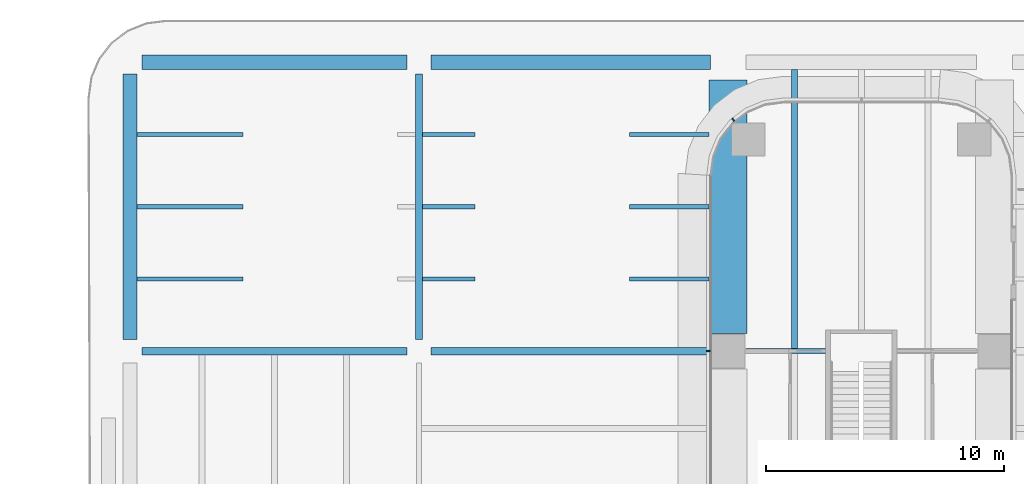
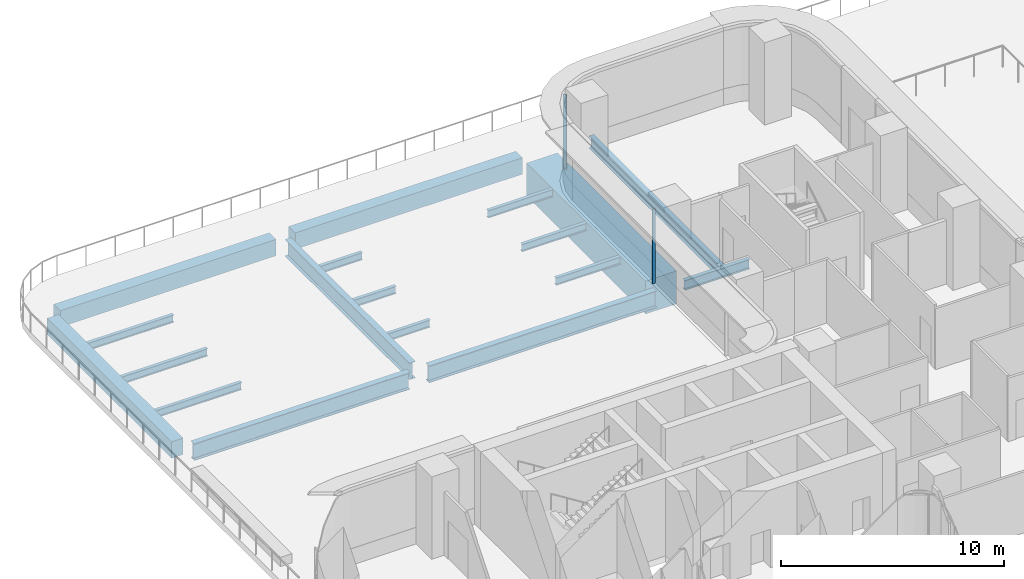
# One storey, part 12 of 29: 18 beams, 2 members, 2 elements without a shape of their own.
"""IFC4 building model written with IfcOpenShell, lengths in metres."""

import ifcopenshell
import ifcopenshell.guid

model = None  # the IFC model being written
_history = None  # IfcOwnerHistory: only IFC2X3 demands one
_inside = {}  # id of a spatial element -> (the spatial element, [elements in it])
_under = {}  # id of a project, library or spatial element -> (it, [spatial elements below it])
_declared = {}  # id of a project -> (the project, [libraries it declares])
_typed = {}  # id of a type object -> (the type object, [elements of that type])
_made_of = {}  # id of a material, layer set ... -> (it, [elements and type objects made of it])


def new_model(schema):
    """Start an empty IFC model of exactly this schema.

    Asked for "IFC4X3", IfcOpenShell would pick the latest addendum, in which some entities
    have other attributes; the version numbers below select the first issue.
    IFC2X3 requires an IfcOwnerHistory on every rooted entity: one is made here for all.
    """
    global model, _history
    if schema == "IFC4X3":
        model = ifcopenshell.file(schema_version=(4, 3, 0, 0))
    else:
        model = ifcopenshell.file(schema=schema)
    _inside.clear()
    _under.clear()
    _declared.clear()
    _typed.clear()
    _made_of.clear()
    _history = None
    if model.schema == "IFC2X3":
        org = make("IfcOrganization", Name="unknown")
        user = make(
            "IfcPersonAndOrganization",
            ThePerson=make("IfcPerson", FamilyName="unknown"),
            TheOrganization=org,
        )
        app = make(
            "IfcApplication",
            ApplicationDeveloper=org,
            Version="unknown",
            ApplicationFullName="unknown",
            ApplicationIdentifier="unknown",
        )
        _history = make(
            "IfcOwnerHistory",
            OwningUser=user,
            OwningApplication=app,
            ChangeAction="ADDED",
            CreationDate=0,
        )
    return model


def make(cls, **values):
    """One entity of the class cls with the attributes given. An attribute that is None is left unset."""
    return model.create_entity(
        cls, **{name: value for name, value in values.items() if value is not None}
    )


def rooted(cls, **values):
    """An entity with a GlobalId (a new one), such as an element, a storey or a relation."""
    return make(cls, GlobalId=ifcopenshell.guid.new(), OwnerHistory=_history, **values)


def si_unit(unit_type, name, prefix=None):
    """IfcSIUnit, for example si_unit("LENGTHUNIT", "METRE", prefix="MILLI")."""
    return make("IfcSIUnit", UnitType=unit_type, Prefix=prefix, Name=name)


def assignment(units):
    """IfcUnitAssignment: the units of a project."""
    return None if units is None else make("IfcUnitAssignment", Units=units)


def point(xyz):
    """IfcCartesianPoint."""
    return None if xyz is None else make("IfcCartesianPoint", Coordinates=xyz)


def direction(xyz):
    """IfcDirection."""
    return None if xyz is None else make("IfcDirection", DirectionRatios=xyz)


def frame(location, z_axis=None, x_axis=None):
    """IfcAxis2Placement3D, a coordinate frame: its origin and axes. An axis left out is left unset."""
    return make(
        "IfcAxis2Placement3D",
        Location=point(location),
        Axis=direction(z_axis),
        RefDirection=direction(x_axis),
    )


def frame_2d(location, x_axis=None):
    """IfcAxis2Placement2D, a coordinate frame in the plane: its origin and x axis."""
    return make(
        "IfcAxis2Placement2D", Location=point(location), RefDirection=direction(x_axis)
    )


def origin():
    """The frame at (0, 0, 0) with its axes left unset."""
    return frame((0.0, 0.0, 0.0))


def origin_2d():
    """The frame at (0, 0) in the plane with its x axis left unset."""
    return frame_2d((0.0, 0.0))


def place(relative_to, where):
    """IfcLocalPlacement: puts the frame where relative to a parent placement (None: the world)."""
    return make(
        "IfcLocalPlacement", PlacementRelTo=relative_to, RelativePlacement=where
    )


def context(
    kind, dimensions, precision=None, world=None, true_north=None, identifier=None
):
    """IfcGeometricRepresentationContext, for example the 3D "Model" context."""
    return make(
        "IfcGeometricRepresentationContext",
        ContextIdentifier=identifier,
        ContextType=kind,
        CoordinateSpaceDimension=dimensions,
        Precision=precision,
        WorldCoordinateSystem=world,
        TrueNorth=true_north,
    )


def subcontext(parent, identifier, kind, view, scale=None):
    """IfcGeometricRepresentationSubContext, for example "Body" below "Model"."""
    return make(
        "IfcGeometricRepresentationSubContext",
        ContextIdentifier=identifier,
        ContextType=kind,
        ParentContext=parent,
        TargetScale=scale,
        TargetView=view,
    )


def project(units=None, contexts=None):
    """IfcProject with its units and contexts."""
    return rooted(
        "IfcProject",
        Name="project",
        RepresentationContexts=contexts,
        UnitsInContext=assignment(units),
    )


def spatial(cls, under=None, at=None, **own):
    """A site, building, storey or space (cls), placed at a placement, below another one or the project."""
    s = rooted(cls, ObjectPlacement=at, **own)
    if under is not None:
        _under.setdefault(under.id(), (under, []))[1].append(s)
    return s


def profile(cls, at=None, kind="AREA", **sizes):
    """A parametric profile (cls). Its sizes go by their IFC names, for example OverallWidth=200.0."""
    return make(cls, ProfileType=kind, Position=at, **sizes)


def rectangle(**sizes):
    """IfcRectangleProfileDef."""
    return profile("IfcRectangleProfileDef", **sizes)


def i_section(**sizes):
    """IfcIShapeProfileDef."""
    return profile("IfcIShapeProfileDef", **sizes)


def extrude(swept, where, along, depth):
    """IfcExtrudedAreaSolid: the profile swept, set in the frame where, extruded along a direction by depth."""
    return make(
        "IfcExtrudedAreaSolid",
        SweptArea=swept,
        Position=where,
        ExtrudedDirection=direction(along),
        Depth=depth,
    )


def shape(context_of_items, identifier, shape_type, items):
    """IfcShapeRepresentation: the items that make up one representation, for example the "Body"."""
    return make(
        "IfcShapeRepresentation",
        ContextOfItems=context_of_items,
        RepresentationIdentifier=identifier,
        RepresentationType=shape_type,
        Items=items,
    )


def source(mapping_origin, context_of_items, identifier, shape_type, items):
    """IfcRepresentationMap: a shape defined once, which mapped items show again and again."""
    return make(
        "IfcRepresentationMap",
        MappingOrigin=mapping_origin,
        MappedRepresentation=shape(context_of_items, identifier, shape_type, items),
    )


def transform(
    local_origin,
    x_axis=None,
    y_axis=None,
    z_axis=None,
    scale=None,
    scale2=None,
    scale3=None,
    uniform=True,
):
    """IfcCartesianTransformationOperator3D, or its non-uniform kind. x_axis, y_axis, z_axis: its Axis1, 2, 3."""
    if uniform:
        return make(
            "IfcCartesianTransformationOperator3D",
            Axis1=direction(x_axis),
            Axis2=direction(y_axis),
            LocalOrigin=point(local_origin),
            Scale=scale,
            Axis3=direction(z_axis),
        )
    return make(
        "IfcCartesianTransformationOperator3DnonUniform",
        Axis1=direction(x_axis),
        Axis2=direction(y_axis),
        LocalOrigin=point(local_origin),
        Scale=scale,
        Axis3=direction(z_axis),
        Scale2=scale2,
        Scale3=scale3,
    )


def mapped(mapping_source, mapping_target):
    """IfcMappedItem: shows the shape of a source again, moved by a transform."""
    return make(
        "IfcMappedItem", MappingSource=mapping_source, MappingTarget=mapping_target
    )


def material(Name=None, Category=None):
    """IfcMaterial."""
    return make("IfcMaterial", Name=Name, Category=Category)


def layer(
    of_material, thickness, ventilated=None, Name=None, Category=None, Priority=None
):
    """IfcMaterialLayer: one layer of a wall or slab, of a material (None: an air gap)."""
    return make(
        "IfcMaterialLayer",
        Material=of_material,
        LayerThickness=thickness,
        IsVentilated=ventilated,
        Name=Name,
        Category=Category,
        Priority=Priority,
    )


def layer_set(layers, Name=None):
    """IfcMaterialLayerSet."""
    return make("IfcMaterialLayerSet", MaterialLayers=layers, LayerSetName=Name)


def material_profile(
    of_material, cross_section, Name=None, Category=None, Priority=None
):
    """IfcMaterialProfile: a cross section and its material."""
    return make(
        "IfcMaterialProfile",
        Name=Name,
        Material=of_material,
        Profile=cross_section,
        Priority=Priority,
        Category=Category,
    )


def profile_set(profiles, Name=None, composite=None):
    """IfcMaterialProfileSet."""
    return make(
        "IfcMaterialProfileSet",
        Name=Name,
        MaterialProfiles=profiles,
        CompositeProfile=composite,
    )


def made_of(thing, what):
    """Note that an element or type object is made of a material, layer set ...; save() writes the relation."""
    if what is not None:
        _made_of.setdefault(what.id(), (what, []))[1].append(thing)
    return thing


def type_object(cls, material=None, **own):
    """A type object (cls), such as IfcWallType, which elements share."""
    return made_of(rooted(cls, **own), material)


def element(
    cls,
    number,
    at=None,
    inside=None,
    cuts=None,
    type_object=None,
    material=None,
    context=None,
    identifier="Body",
    shape_type=None,
    held_by="IfcProductDefinitionShape",
    body=None,
    shapes=None,
    **own,
):
    """One element of the class cls, such as IfcWall. Its Tag is "e" and its number.

    at: its placement. inside: the storey or other place that contains it. cuts: it is an
    opening in that element (IfcRelVoidsElement). A single representation is given by context,
    identifier, shape_type and body (its items); several are given by shapes. held_by: the class
    of the entity that holds the representations. save() writes the other relations.
    """
    e = rooted(cls, Tag="e%d" % number, ObjectPlacement=at, **own)
    if body is not None:
        shapes = [shape(context, identifier, shape_type, body)]
    if shapes is not None:
        e.Representation = make(held_by, Representations=shapes)
    if inside is not None:
        _inside.setdefault(inside.id(), (inside, []))[1].append(e)
    if cuts is not None:
        rooted(
            "IfcRelVoidsElement", RelatingBuildingElement=cuts, RelatedOpeningElement=e
        )
    if type_object is not None:
        _typed.setdefault(type_object.id(), (type_object, []))[1].append(e)
    return made_of(e, material)


def aggregate(whole, parts):
    """IfcRelAggregates: a whole, such as a stair, and the parts it consists of."""
    return rooted("IfcRelAggregates", RelatingObject=whole, RelatedObjects=parts)


def save(model, path):
    """Write the relations noted so far, then the file.

    IfcRelAggregates (storeys below a building ...), IfcRelContainedInSpatialStructure (elements
    in a storey), IfcRelDefinesByType, IfcRelAssociatesMaterial and IfcRelDeclares: one each for
    every whole, place, type object, material and project.
    """
    for whole, parts in _under.values():
        aggregate(whole, parts)
    for where, things in _inside.values():
        rooted(
            "IfcRelContainedInSpatialStructure",
            RelatedElements=things,
            RelatingStructure=where,
        )
    for kind, things in _typed.values():
        rooted("IfcRelDefinesByType", RelatedObjects=things, RelatingType=kind)
    for what, things in _made_of.values():
        rooted("IfcRelAssociatesMaterial", RelatedObjects=things, RelatingMaterial=what)
    for by, libraries in _declared.values():
        rooted("IfcRelDeclares", RelatingContext=by, RelatedDefinitions=libraries)
    model.write(path)


model = new_model("IFC4")

# Units and contexts
model_context = context("Model", 3, precision=1e-05, world=origin(), true_north=direction((0.0, 1.0)))
body_context = subcontext(model_context, "Body", "Model", "MODEL_VIEW")
ifc_project = project(units=[si_unit("LENGTHUNIT", "METRE"), si_unit("AREAUNIT", "SQUARE_METRE"), si_unit("VOLUMEUNIT", "CUBIC_METRE"), si_unit("PLANEANGLEUNIT", "RADIAN"), si_unit("MASSUNIT", "GRAM", prefix="KILO")], contexts=[model_context])

# Site, building, storey
site_placement = place(None, origin())
site = spatial("IfcSite", under=ifc_project, at=site_placement, CompositionType="ELEMENT")
building_placement = place(site_placement, origin())
building = spatial("IfcBuilding", under=site, at=building_placement, Name="Trellis Farm Tower", CompositionType="ELEMENT")
storey_placement = place(building_placement, frame((0.0, 0.0, 34.0)))
storey = spatial("IfcBuildingStorey", under=building, at=storey_placement, Name="L06", CompositionType="ELEMENT", Elevation=34.0)

# Beams
ifc_material_1 = material(Name="Steel S355", Category="steel")
ifc_material_profile_1 = material_profile(ifc_material_1, i_section(OverallWidth=0.177978515625, OverallDepth=0.406494140625, WebThickness=0.0078125, FlangeThickness=0.0126953125, FilletRadius=0.01025390625, at=origin_2d()), Name="UB 406x178x60")
ifc_profile_set_1 = profile_set([ifc_material_profile_1], Name="Steel S355")
beam_type_1 = type_object("IfcBeamType", Name="UB 406x178x60 joist", PredefinedType="JOIST", material=ifc_profile_set_1)
shared_shape_1 = source(origin(), body_context, "Body", "SweptSolid", [
    extrude(i_section(OverallWidth=0.177978515625, OverallDepth=0.406494140625, WebThickness=0.0078125, FlangeThickness=0.0126953125, FilletRadius=0.01025390625, at=origin_2d()), origin(), (0.0, 0.0, 1.0), 2.197265625),
])
for number, where, z_axis, x_axis, name in (
    (1, (-18.447265625, 21.637451171875, -0.55322265625), (1.0, 0.0, 0.0), (0.0, 1.0, 0.0), "Floor beam"),
    (2, (-18.447265625, 24.675048828125, -0.55322265625), (1.0, 0.0, 0.0), (0.0, 1.0, 0.0), "Floor beam"),
    (3, (-18.447265625, 27.71240234375, -0.55322265625), (1.0, 0.0, 0.0), (0.0, 1.0, 0.0), "Floor beam"),
):
    element("IfcBeam", number, at=place(storey_placement, frame(where, z_axis=z_axis, x_axis=x_axis)), inside=storey, type_object=beam_type_1, Name=name, PredefinedType="JOIST", context=body_context, shape_type="MappedRepresentation", body=[
        mapped(shared_shape_1, transform((0.0, 0.0, 0.0))),
    ])
ifc_material_profile_2 = material_profile(ifc_material_1, i_section(OverallWidth=0.209228515625, OverallDepth=0.533203125, WebThickness=0.010009765625, FlangeThickness=0.015625, FilletRadius=0.0126953125, at=origin_2d()), Name="UB 533x210x92")
ifc_profile_set_2 = profile_set([ifc_material_profile_2], Name="Steel S355")
beam_type_2 = type_object("IfcBeamType", Name="UB 533x210x92", PredefinedType="BEAM", material=ifc_profile_set_2)
shared_shape_2 = source(origin(), body_context, "Body", "SweptSolid", [
    extrude(i_section(OverallWidth=0.209228515625, OverallDepth=0.533203125, WebThickness=0.010009765625, FlangeThickness=0.015625, FilletRadius=0.0126953125, at=origin_2d()), origin(), (0.0, 0.0, 1.0), 3.35009765625),
])
beam_1_placement = place(storey_placement, frame((-4.85009765625, 18.60009765625, -0.61669921875), z_axis=(1.0, 0.0, 0.0), x_axis=(0.0, 1.0, 0.0)))
element("IfcBeam", 4, at=beam_1_placement, inside=storey, type_object=beam_type_2, Name="Girder", PredefinedType="BEAM", context=body_context, shape_type="MappedRepresentation", body=[
    mapped(shared_shape_2, transform((0.0, 0.0, 0.0))),
])
ifc_material_profile_3 = material_profile(ifc_material_1, i_section(OverallWidth=0.305419921875, OverallDepth=0.91845703125, WebThickness=0.017333984375, FlangeThickness=0.02783203125, FilletRadius=0.01904296875, at=origin_2d()), Name="UB 914x305x253")
ifc_profile_set_3 = profile_set([ifc_material_profile_3], Name="Steel S355")
beam_type_3 = type_object("IfcBeamType", Name="UB 914x305x253", PredefinedType="BEAM", material=ifc_profile_set_3)
shared_shape_3 = source(origin(), body_context, "Body", "SweptSolid", [
    extrude(i_section(OverallWidth=0.305419921875, OverallDepth=0.91845703125, WebThickness=0.017333984375, FlangeThickness=0.02783203125, FilletRadius=0.01904296875, at=origin_2d()), origin(), (0.0, 0.0, 1.0), 11.75),
])
beam_2_placement = place(storey_placement, frame((-18.10009765625, 18.60009765625, -0.80908203125), z_axis=(1.0, 0.0, 0.0), x_axis=(0.0, 1.0, 0.0)))
element("IfcBeam", 5, at=beam_2_placement, inside=storey, type_object=beam_type_3, Name="Girder", PredefinedType="BEAM", context=body_context, shape_type="MappedRepresentation", body=[
    mapped(shared_shape_3, transform((0.0, 0.0, 0.0))),
])
shared_shape_4 = source(origin(), body_context, "Body", "SweptSolid", [
    extrude(i_section(OverallWidth=0.305419921875, OverallDepth=0.91845703125, WebThickness=0.017333984375, FlangeThickness=0.02783203125, FilletRadius=0.01904296875, at=origin_2d()), origin(), (0.0, 0.0, 1.0), 11.14990234375),
])
for number, where, z_axis, x_axis, name in (
    (6, (-30.25, 18.60009765625, -0.80908203125), (1.0, 0.0, 0.0), (0.0, 1.0, 0.0), "Girder"),
    (7, (-18.60009765625, 19.10009765625, -0.80908203125), (0.0, 1.0, 0.0), (-1.0, 0.0, 0.0), "Girder"),
):
    element("IfcBeam", number, at=place(storey_placement, frame(where, z_axis=z_axis, x_axis=x_axis)), inside=storey, type_object=beam_type_3, Name=name, PredefinedType="BEAM", context=body_context, shape_type="MappedRepresentation", body=[
        mapped(shared_shape_4, transform((0.0, 0.0, 0.0))),
    ])
ifc_material_2 = material(Name="Concrete C60/75", Category="concrete")
ifc_material_profile_4 = material_profile(ifc_material_2, rectangle(XDim=0.60009765625, YDim=0.89990234375, at=origin_2d()), Name="RC spandrel beam 600x900 C60/75")
ifc_profile_set_4 = profile_set([ifc_material_profile_4], Name="Concrete C60/75")
beam_type_4 = type_object("IfcBeamType", Name="RC spandrel beam 600x900 C60/75", PredefinedType="SPANDREL", material=ifc_profile_set_4)
shared_shape_5 = source(origin(), body_context, "Body", "SweptSolid", [
    extrude(rectangle(XDim=0.60009765625, YDim=0.89990234375, at=origin_2d()), origin(), (0.0, 0.0, 1.0), 11.75),
])
beam_3_placement = place(storey_placement, frame((-18.10009765625, 30.75, -0.800048828125), z_axis=(1.0, 0.0, 0.0), x_axis=(0.0, 1.0, 0.0)))
element("IfcBeam", 8, at=beam_3_placement, inside=storey, type_object=beam_type_4, Name="Girder", PredefinedType="SPANDREL", context=body_context, shape_type="MappedRepresentation", body=[
    mapped(shared_shape_5, transform((0.0, 0.0, 0.0))),
])
shared_shape_6 = source(origin(), body_context, "Body", "SweptSolid", [
    extrude(rectangle(XDim=0.60009765625, YDim=0.89990234375, at=origin_2d()), origin(), (0.0, 0.0, 1.0), 11.14990234375),
])
for number, where, z_axis, x_axis, name in (
    (9, (-30.25, 30.75, -0.800048828125), (1.0, 0.0, 0.0), (0.0, 1.0, 0.0), "Girder"),
    (10, (-30.75, 19.10009765625, -0.800048828125), (0.0, 1.0, 0.0), (-1.0, 0.0, 0.0), "Girder"),
):
    element("IfcBeam", number, at=place(storey_placement, frame(where, z_axis=z_axis, x_axis=x_axis)), inside=storey, type_object=beam_type_4, Name=name, PredefinedType="SPANDREL", context=body_context, shape_type="MappedRepresentation", body=[
        mapped(shared_shape_6, transform((0.0, 0.0, 0.0))),
    ])
ifc_material_3 = material(Name="Concrete C80/95", Category="concrete")
ifc_material_profile_5 = material_profile(ifc_material_3, rectangle(XDim=1.60009765625, YDim=1.800048828125, at=origin_2d()), Name="RC transfer beam 1600x1800 C80/95")
ifc_profile_set_5 = profile_set([ifc_material_profile_5], Name="Concrete C80/95")
beam_type_5 = type_object("IfcBeamType", Name="RC transfer beam 1600x1800 C80/95", PredefinedType="BEAM", material=ifc_profile_set_5)
shared_shape_7 = source(origin(), body_context, "Body", "SweptSolid", [
    extrude(rectangle(XDim=1.60009765625, YDim=1.800048828125, at=origin_2d()), origin(), (0.0, 0.0, 1.0), 10.64990234375),
])
beam_4_placement = place(storey_placement, frame((-5.60009765625, 19.35009765625, -1.25), z_axis=(0.0, 1.0, 0.0), x_axis=(-1.0, 0.0, 0.0)))
element("IfcBeam", 11, at=beam_4_placement, inside=storey, type_object=beam_type_5, Name="Transfer girder", PredefinedType="BEAM", context=body_context, shape_type="MappedRepresentation", body=[
    mapped(shared_shape_7, transform((0.0, 0.0, 0.0))),
])
shared_shape_8 = source(origin(), body_context, "Body", "SweptSolid", [
    extrude(i_section(OverallWidth=0.177978515625, OverallDepth=0.406494140625, WebThickness=0.0078125, FlangeThickness=0.0126953125, FilletRadius=0.01025390625, at=origin_2d()), origin(), (0.0, 0.0, 1.0), 3.35009765625),
])
for number, where, z_axis, x_axis, name in (
    (12, (-9.75, 21.637451171875, -0.55322265625), (1.0, 0.0, 0.0), (0.0, 1.0, 0.0), "Floor beam"),
    (13, (-9.75, 24.675048828125, -0.55322265625), (1.0, 0.0, 0.0), (0.0, 1.0, 0.0), "Floor beam"),
    (14, (-9.75, 27.71240234375, -0.55322265625), (1.0, 0.0, 0.0), (0.0, 1.0, 0.0), "Floor beam"),
):
    element("IfcBeam", number, at=place(storey_placement, frame(where, z_axis=z_axis, x_axis=x_axis)), inside=storey, type_object=beam_type_1, Name=name, PredefinedType="JOIST", context=body_context, shape_type="MappedRepresentation", body=[
        mapped(shared_shape_8, transform((0.0, 0.0, 0.0))),
    ])
shared_shape_9 = source(origin(), body_context, "Body", "SweptSolid", [
    extrude(i_section(OverallWidth=0.177978515625, OverallDepth=0.406494140625, WebThickness=0.0078125, FlangeThickness=0.0126953125, FilletRadius=0.01025390625, at=origin_2d()), origin(), (0.0, 0.0, 1.0), 4.449951171875),
])
for number, where, z_axis, x_axis, name in (
    (15, (-30.449951171875, 21.637451171875, -0.55322265625), (1.0, 0.0, 0.0), (0.0, 1.0, 0.0), "Floor beam"),
    (16, (-30.449951171875, 24.675048828125, -0.55322265625), (1.0, 0.0, 0.0), (0.0, 1.0, 0.0), "Floor beam"),
    (17, (-30.449951171875, 27.71240234375, -0.55322265625), (1.0, 0.0, 0.0), (0.0, 1.0, 0.0), "Floor beam"),
):
    element("IfcBeam", number, at=place(storey_placement, frame(where, z_axis=z_axis, x_axis=x_axis)), inside=storey, type_object=beam_type_1, Name=name, PredefinedType="JOIST", context=body_context, shape_type="MappedRepresentation", body=[
        mapped(shared_shape_9, transform((0.0, 0.0, 0.0))),
    ])
ifc_material_profile_6 = material_profile(ifc_material_1, i_section(OverallWidth=0.253662109375, OverallDepth=0.68359375, WebThickness=0.012451171875, FlangeThickness=0.021728515625, FilletRadius=0.01513671875, at=origin_2d()), Name="UB 686x254x140")
ifc_profile_set_6 = profile_set([ifc_material_profile_6], Name="Steel S355")
beam_type_6 = type_object("IfcBeamType", Name="UB 686x254x140 joist", PredefinedType="JOIST", material=ifc_profile_set_6)
shared_shape_10 = source(origin(), body_context, "Body", "SweptSolid", [
    extrude(i_section(OverallWidth=0.253662109375, OverallDepth=0.68359375, WebThickness=0.012451171875, FlangeThickness=0.021728515625, FilletRadius=0.01513671875, at=origin_2d()), origin(), (0.0, 0.0, 1.0), 11.745361328125),
])
beam_5_placement = place(storey_placement, frame((-2.800048828125, 18.70458984375, -0.691650390625), z_axis=(0.0, 1.0, 0.0), x_axis=(-1.0, 0.0, 0.0)))
element("IfcBeam", 18, at=beam_5_placement, inside=storey, type_object=beam_type_6, Name="Floor beam", PredefinedType="JOIST", context=body_context, shape_type="MappedRepresentation", body=[
    mapped(shared_shape_10, transform((0.0, 0.0, 0.0))),
])

# Curtain wall, member
ifc_material_4 = material(Name="Aluminium and glass curtain wall", Category="aluminium")
ifc_layer = layer(ifc_material_4, 0.18994140625)
ifc_layer_set = layer_set([ifc_layer], Name="RIBBON CURTAIN WALL CW1")
curtain_wall_type = type_object("IfcCurtainWallType", Name="RIBBON CURTAIN WALL CW1", PredefinedType="NOTDEFINED", material=ifc_layer_set)
placement = place(storey_placement, origin())
curtain_wall_1 = element("IfcCurtainWall", 19, at=placement, inside=storey, type_object=curtain_wall_type, Name="CW1 012", PredefinedType="NOTDEFINED")
ifc_material_5 = material(Name="Aluminium extrusion 6063-T6", Category="aluminium")
ifc_material_profile_7 = material_profile(ifc_material_5, rectangle(XDim=0.06005859375, YDim=0.14990234375, at=origin_2d()), Name="MULLION 60x150")
ifc_profile_set_7 = profile_set([ifc_material_profile_7], Name="Aluminium extrusion 6063-T6")
member_type = type_object("IfcMemberType", Name="CW1 MULLION 60x150", PredefinedType="MULLION", material=ifc_profile_set_7)
shared_shape_11 = source(origin(), body_context, "Body", "SweptSolid", [
    extrude(rectangle(XDim=0.06005859375, YDim=0.14990234375, at=origin_2d()), origin(), (0.0, 0.0, 1.0), 4.070068359375),
])
member_1_placement = place(storey_placement, frame((-5.385498046875, 28.328369140625, 0.0), z_axis=(0.0, 0.0, 1.0), x_axis=(-0.793353340291, -0.608761429009, 0.0)))
member_1 = element("IfcMember", 20, at=member_1_placement, type_object=member_type, Name="MU1 012-02", PredefinedType="MULLION", context=body_context, shape_type="MappedRepresentation", body=[
    mapped(shared_shape_11, transform((0.0, 0.0, 0.0))),
])
aggregate(curtain_wall_1, [member_1])

curtain_wall_2 = element("IfcCurtainWall", 21, at=placement, inside=storey, type_object=curtain_wall_type, Name="CW1 013", PredefinedType="NOTDEFINED")
member_2_placement = place(storey_placement, frame((-6.425048828125, 18.60009765625, 0.0), z_axis=(0.0, 0.0, 1.0), x_axis=(0.0, -1.0, 0.0)))
member_2 = element("IfcMember", 22, at=member_2_placement, type_object=member_type, Name="MU1 013-01", PredefinedType="MULLION", context=body_context, shape_type="MappedRepresentation", body=[
    mapped(shared_shape_11, transform((0.0, 0.0, 0.0))),
])
aggregate(curtain_wall_2, [member_2])

save(model, "model.ifc")
